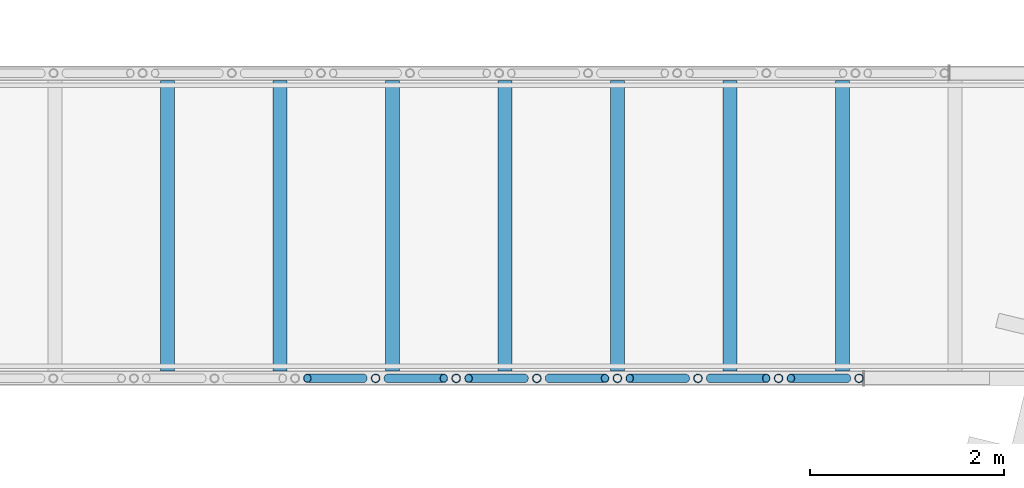
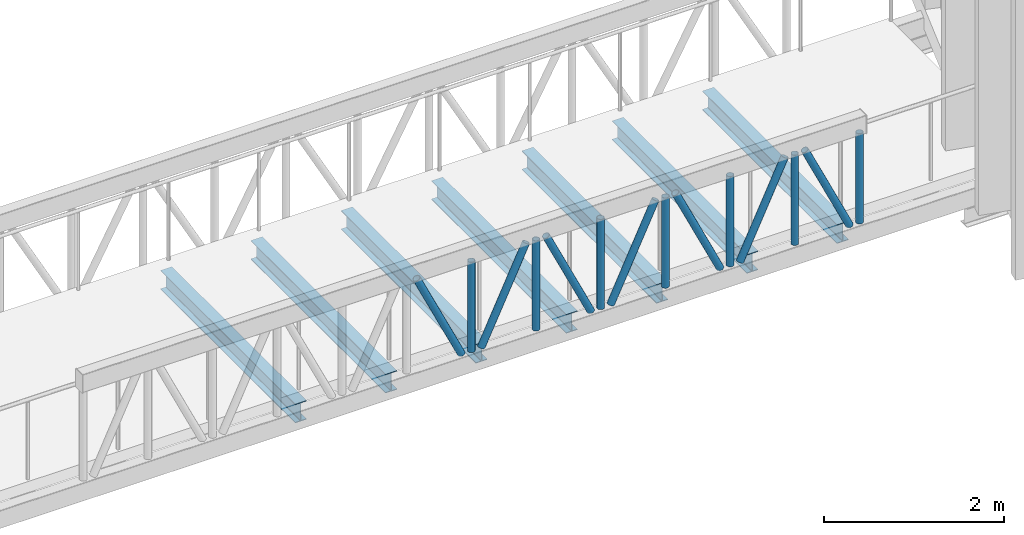
# One storey, part 33 of 93: 14 members, 7 beams.
"""IFC4 building model written with IfcOpenShell, lengths in metres."""

from ifc_helpers import new_model, si_unit, direction, frame, origin, origin_2d, place, context, subcontext, project, spatial, hollow_circle, i_section, extrude, material, material_profile, profile_set, type_object, element, save


model = new_model("IFC4")

# Units and contexts
model_context = context("Model", 3, precision=1e-05, world=origin(), true_north=direction((0.0, 1.0)))
body_context = subcontext(model_context, "Body", "Model", "MODEL_VIEW")
ifc_project = project(units=[si_unit("LENGTHUNIT", "METRE"), si_unit("AREAUNIT", "SQUARE_METRE"), si_unit("VOLUMEUNIT", "CUBIC_METRE"), si_unit("PLANEANGLEUNIT", "RADIAN"), si_unit("MASSUNIT", "GRAM", prefix="KILO")], contexts=[model_context])

# Site, building, storey
site_placement = place(None, origin())
site = spatial("IfcSite", under=ifc_project, at=site_placement, CompositionType="ELEMENT")
building_placement = place(site_placement, origin())
building = spatial("IfcBuilding", under=site, at=building_placement, Name="Tide Square Theatres", CompositionType="ELEMENT")
storey_placement = place(building_placement, frame((0.0, 0.0, 5.39990234375)))
storey = spatial("IfcBuildingStorey", under=building, at=storey_placement, Name="L01", CompositionType="ELEMENT", Elevation=5.39990234375)

# Beams
ifc_material_1 = material(Name="Steel ASTM A572 Grade 50", Category="steel")
ifc_material_profile_1 = material_profile(ifc_material_1, i_section(OverallWidth=0.14599609375, OverallDepth=0.258056640625, WebThickness=0.006103515625, FlangeThickness=0.009033203125, FilletRadius=0.010009765625, at=origin_2d()))
ifc_profile_set_1 = profile_set([ifc_material_profile_1], Name="Steel ASTM A572 Grade 50")
beam_type = type_object("IfcBeamType", Name="Steel beam W 250 x 32.7", PredefinedType="BEAM", material=ifc_profile_set_1)
for number, where, z_axis, x_axis, name in (
    (1, (116.85546875, 59.5, -0.27978515625), (0.0, -1.0, 0.0), (1.0, 0.0, 0.0), "Bridge BR-E1 cross beam"),
    (2, (115.694091796875, 59.5, -0.27978515625), (0.0, -1.0, 0.0), (1.0, 0.0, 0.0), "Bridge BR-E1 cross beam"),
    (3, (114.533203125, 59.5, -0.27978515625), (0.0, -1.0, 0.0), (1.0, 0.0, 0.0), "Bridge BR-E1 cross beam"),
    (4, (113.3720703125, 59.5, -0.27978515625), (0.0, -1.0, 0.0), (1.0, 0.0, 0.0), "Bridge BR-E1 cross beam"),
    (5, (112.2109375, 59.5, -0.27978515625), (0.0, -1.0, 0.0), (1.0, 0.0, 0.0), "Bridge BR-E1 cross beam"),
    (6, (111.0498046875, 59.5, -0.27978515625), (0.0, -1.0, 0.0), (1.0, 0.0, 0.0), "Bridge BR-E1 cross beam"),
    (7, (109.888671875, 59.5, -0.27978515625), (0.0, -1.0, 0.0), (1.0, 0.0, 0.0), "Bridge BR-E1 cross beam"),
):
    element("IfcBeam", number, at=place(storey_placement, frame(where, z_axis=z_axis, x_axis=x_axis)), inside=storey, type_object=beam_type, Name=name, PredefinedType="BEAM", context=body_context, shape_type="SweptSolid", body=[
        extrude(i_section(OverallWidth=0.14599609375, OverallDepth=0.258056640625, WebThickness=0.006103515625, FlangeThickness=0.009033203125, FilletRadius=0.010009765625, at=origin_2d()), origin(), (0.0, 0.0, 1.0), 3.0),
    ])

# Members
ifc_material_2 = material(Name="Steel ASTM A500 Grade C", Category="steel")
ifc_material_profile_2 = material_profile(ifc_material_2, hollow_circle(Radius=0.04443359375, WallThickness=0.0048828125, at=origin_2d()))
ifc_profile_set_2 = profile_set([ifc_material_profile_2], Name="Steel ASTM A500 Grade C")
member_type_1 = type_object("IfcMemberType", Name="Steel brace CHS 88.9 x 5.0", PredefinedType="BRACE", material=ifc_profile_set_2)
for number, where, z_axis, x_axis, name in (
    (8, (116.899169921875, 56.425048828125, -0.14990234375), (-0.426179005514, 0.0, 0.904638853498), (0.0, -1.0, 0.0), "Bridge BR-E1 diagonal"),
    (9, (116.0673828125, 56.425048828125, 1.0751953125), (-0.426326523508, 0.0, -0.904569342479), (0.0, -1.0, 0.0), "Bridge BR-E1 diagonal"),
    (10, (115.2353515625, 56.425048828125, -0.14990234375), (-0.426179005514, 0.0, 0.904638853498), (0.0, -1.0, 0.0), "Bridge BR-E1 diagonal"),
    (11, (114.403564453125, 56.425048828125, 1.0751953125), (-0.426179005514, 0.0, -0.904638853498), (0.0, -1.0, 0.0), "Bridge BR-E1 diagonal"),
    (12, (113.57177734375, 56.425048828125, -0.14990234375), (-0.426179005514, 0.0, 0.904638853498), (0.0, -1.0, 0.0), "Bridge BR-E1 diagonal"),
    (13, (112.739990234375, 56.425048828125, 1.0751953125), (-0.426326523508, 0.0, -0.904569342479), (0.0, -1.0, 0.0), "Bridge BR-E1 diagonal"),
    (14, (111.908203125, 56.425048828125, -0.14990234375), (-0.426326523508, 0.0, 0.904569342479), (0.0, -1.0, 0.0), "Bridge BR-E1 diagonal"),
):
    element("IfcMember", number, at=place(storey_placement, frame(where, z_axis=z_axis, x_axis=x_axis)), inside=storey, type_object=member_type_1, Name=name, PredefinedType="BRACE", context=body_context, shape_type="SweptSolid", body=[
        extrude(hollow_circle(Radius=0.04443359375, WallThickness=0.0048828125, at=origin_2d()), origin(), (0.0, 0.0, 1.0), 1.354248046875),
    ])
ifc_material_3 = material(Name="Steel ASTM A500 Grade C", Category="steel")
ifc_material_profile_3 = material_profile(ifc_material_3, hollow_circle(Radius=0.04443359375, WallThickness=0.0048828125, at=origin_2d()))
ifc_profile_set_3 = profile_set([ifc_material_profile_3], Name="Steel ASTM A500 Grade C")
member_type_2 = type_object("IfcMemberType", Name="Steel strut CHS 88.9 x 5.0", PredefinedType="STRUT", material=ifc_profile_set_3)
for number, where, z_axis, x_axis, name in (
    (15, (117.0263671875, 56.425048828125, -0.14990234375), (0.0, 0.0, 1.0), (1.0, 0.0, 0.0), "Bridge BR-E1 post"),
    (16, (116.194580078125, 56.425048828125, -0.14990234375), (0.0, 0.0, 1.0), (1.0, 0.0, 0.0), "Bridge BR-E1 post"),
    (17, (115.36279296875, 56.425048828125, -0.14990234375), (0.0, 0.0, 1.0), (1.0, 0.0, 0.0), "Bridge BR-E1 post"),
    (18, (114.531005859375, 56.425048828125, -0.14990234375), (0.0, 0.0, 1.0), (1.0, 0.0, 0.0), "Bridge BR-E1 post"),
    (19, (113.69921875, 56.425048828125, -0.14990234375), (0.0, 0.0, 1.0), (1.0, 0.0, 0.0), "Bridge BR-E1 post"),
    (20, (112.8671875, 56.425048828125, -0.14990234375), (0.0, 0.0, 1.0), (1.0, 0.0, 0.0), "Bridge BR-E1 post"),
    (21, (112.035400390625, 56.425048828125, -0.14990234375), (0.0, 0.0, 1.0), (1.0, 0.0, 0.0), "Bridge BR-E1 post"),
):
    element("IfcMember", number, at=place(storey_placement, frame(where, z_axis=z_axis, x_axis=x_axis)), inside=storey, type_object=member_type_2, Name=name, PredefinedType="STRUT", context=body_context, shape_type="SweptSolid", body=[
        extrude(hollow_circle(Radius=0.04443359375, WallThickness=0.0048828125, at=origin_2d()), origin(), (0.0, 0.0, 1.0), 1.22509765625),
    ])

save(model, "model.ifc")
